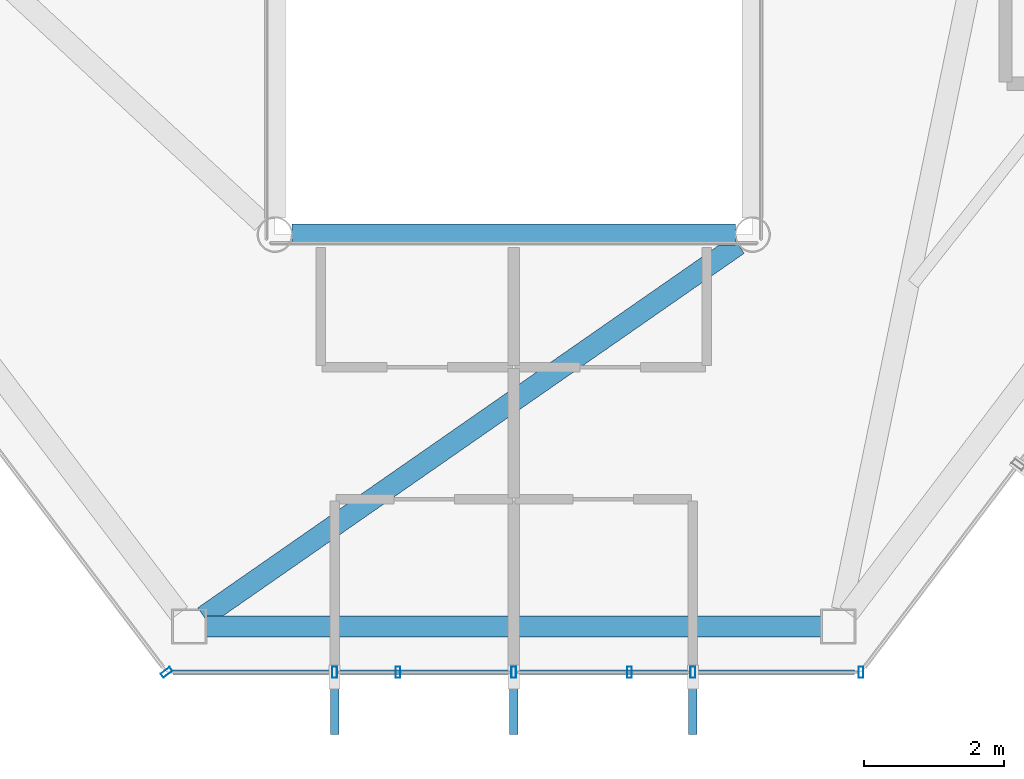
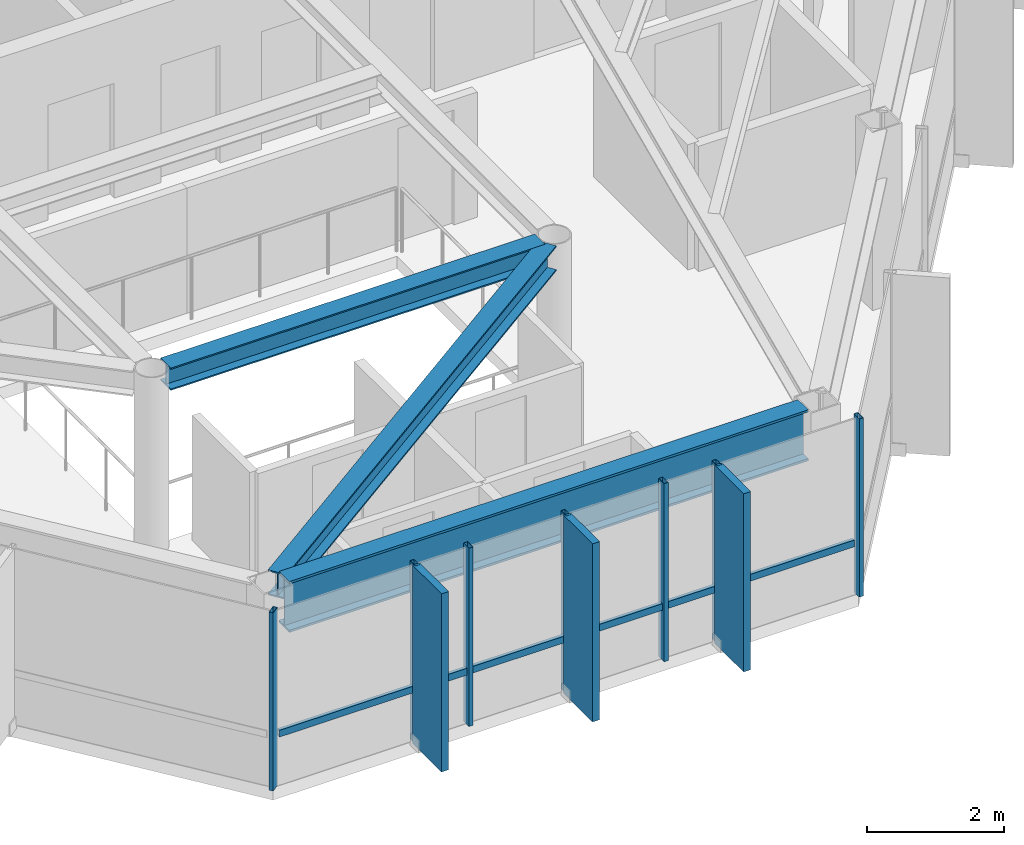
# One storey, part 5 of 25: 11 members, 3 beams, 2 elements without a shape of their own.
"""IFC4 building model written with IfcOpenShell, lengths in metres."""

from ifc_helpers import new_model, si_unit, direction, frame, origin, origin_2d, place, context, subcontext, project, spatial, rectangle, hollow_rectangle, i_section, extrude, material, layer, layer_set, material_profile, profile_set, type_object, element, aggregate, save


model = new_model("IFC4")

# Units and contexts
model_context = context("Model", 3, precision=1e-05, world=origin(), true_north=direction((0.0, 1.0)))
body_context = subcontext(model_context, "Body", "Model", "MODEL_VIEW")
ifc_project = project(units=[si_unit("LENGTHUNIT", "METRE"), si_unit("AREAUNIT", "SQUARE_METRE"), si_unit("VOLUMEUNIT", "CUBIC_METRE"), si_unit("PLANEANGLEUNIT", "RADIAN"), si_unit("MASSUNIT", "GRAM", prefix="KILO")], contexts=[model_context])

# Site, building, storey
site_placement = place(None, origin())
site = spatial("IfcSite", under=ifc_project, at=site_placement, CompositionType="ELEMENT")
building_placement = place(site_placement, origin())
building = spatial("IfcBuilding", under=site, at=building_placement, Name="Zarrinselat Tower", CompositionType="ELEMENT")
storey_placement = place(building_placement, frame((0.0, 0.0, 261.800048828125)))
storey = spatial("IfcBuildingStorey", under=building, at=storey_placement, Name="L66", CompositionType="ELEMENT", Elevation=261.800048828125)

# Beams
ifc_material_1 = material(Name="Steel S355J2", Category="steel")
ifc_material_profile_1 = material_profile(ifc_material_1, i_section(OverallWidth=0.300048828125, OverallDepth=0.39990234375, WebThickness=0.013427734375, FlangeThickness=0.02392578125, at=origin_2d()), Name="HEB 400")
ifc_profile_set_1 = profile_set([ifc_material_profile_1], Name="Steel S355J2")
beam_type_1 = type_object("IfcBeamType", Name="BM-HEB400", PredefinedType="BEAM", material=ifc_profile_set_1)
beam_1_placement = place(storey_placement, frame((35.239990234375, 25.199951171875, 2.97998046875), z_axis=(1.0, 0.0, 0.0), x_axis=(0.0, 1.0, 0.0)))
element("IfcBeam", 1, at=beam_1_placement, inside=storey, type_object=beam_type_1, Name="L66 Atrium Edge Beam S", PredefinedType="BEAM", context=body_context, shape_type="SweptSolid", body=[
    extrude(i_section(OverallWidth=0.300048828125, OverallDepth=0.39990234375, WebThickness=0.013427734375, FlangeThickness=0.02392578125, at=origin_2d()), origin(), (0.0, 0.0, 1.0), 6.320068359375),
])
ifc_material_2 = material(Name="Steel S355J2", Category="steel")
ifc_material_profile_2 = material_profile(ifc_material_2, i_section(OverallWidth=0.300048828125, OverallDepth=0.449951171875, WebThickness=0.013916015625, FlangeThickness=0.02587890625, at=origin_2d()), Name="HEB 450")
ifc_profile_set_2 = profile_set([ifc_material_profile_2], Name="Steel S355J2")
beam_type_2 = type_object("IfcBeamType", Name="BM-HEB450", PredefinedType="BEAM", material=ifc_profile_set_2)
beam_2_placement = place(storey_placement, frame((33.9873046875, 19.764892578125, 2.954833984375), z_axis=(0.82089929517, 0.571072978864, 0.0), x_axis=(-0.571072978864, 0.82089929517, 0.0)))
element("IfcBeam", 2, at=beam_2_placement, inside=storey, type_object=beam_type_2, Name="L66 Radial Primary Girder RG10", PredefinedType="BEAM", context=body_context, shape_type="SweptSolid", body=[
    extrude(i_section(OverallWidth=0.300048828125, OverallDepth=0.449951171875, WebThickness=0.013916015625, FlangeThickness=0.02587890625, at=origin_2d()), origin(), (0.0, 0.0, 1.0), 9.26708984375),
])
ifc_material_3 = material(Name="Steel S460M", Category="steel")
ifc_material_profile_3 = material_profile(ifc_material_3, i_section(OverallWidth=0.302001953125, OverallDepth=0.909912109375, WebThickness=0.02099609375, FlangeThickness=0.0400390625, at=origin_2d()), Name="HEM 900")
ifc_profile_set_3 = profile_set([ifc_material_profile_3], Name="Steel S460M")
beam_type_3 = type_object("IfcBeamType", Name="BM-HEM900", PredefinedType="BEAM", material=ifc_profile_set_3)
beam_3_placement = place(storey_placement, frame((34.018310546875, 19.62109375, 2.724853515625), z_axis=(1.0, 0.0, 0.0), x_axis=(0.0, 1.0, 0.0)))
element("IfcBeam", 3, at=beam_3_placement, inside=storey, type_object=beam_type_3, Name="L66 Perimeter Spandrel Girder SP10", PredefinedType="BEAM", context=body_context, shape_type="SweptSolid", body=[
    extrude(i_section(OverallWidth=0.302001953125, OverallDepth=0.909912109375, WebThickness=0.02099609375, FlangeThickness=0.0400390625, at=origin_2d()), origin(), (0.0, 0.0, 1.0), 8.763427734375),
])

# Curtain wall, member
ifc_material_4 = material(Name="Extruded Aluminium Alloy EN AW-6063 T6", Category="aluminium")
ifc_layer = layer(ifc_material_4, 0.169921875)
ifc_layer_set = layer_set([ifc_layer], Name="Extruded Aluminium Alloy EN AW-6063 T6")
curtain_wall_type = type_object("IfcCurtainWallType", Name="CWS-RES", PredefinedType="NOTDEFINED", material=ifc_layer_set)
curtain_wall_1_placement = place(storey_placement, origin())
curtain_wall_1 = element("IfcCurtainWall", 4, at=curtain_wall_1_placement, inside=storey, type_object=curtain_wall_type, Name="L66 Unitised Curtain Wall CW-L66-E03", PredefinedType="NOTDEFINED")
ifc_material_5 = material(Name="Extruded Aluminium Alloy EN AW-6063 T6", Category="aluminium")
ifc_material_profile_4 = material_profile(ifc_material_5, hollow_rectangle(XDim=0.070068359375, YDim=0.159912109375, WallThickness=0.00390625, at=origin_2d()), Name="RHS 160x70x4")
ifc_profile_set_4 = profile_set([ifc_material_profile_4], Name="Extruded Aluminium Alloy EN AW-6063 T6")
member_type_1 = type_object("IfcMemberType", Name="MEM-CW-MUL2", PredefinedType="MULLION", material=ifc_profile_set_4)
member_1_placement = place(storey_placement, frame((33.457275390625, 18.97119140625, 0.0), z_axis=(0.0, 0.0, 1.0), x_axis=(0.603858282603, -0.797091697694, 0.0)))
member_1 = element("IfcMember", 5, at=member_1_placement, type_object=member_type_1, Name="CW-L66-E03 Mullion 10", PredefinedType="MULLION", context=body_context, shape_type="SweptSolid", body=[
    extrude(hollow_rectangle(XDim=0.070068359375, YDim=0.159912109375, WallThickness=0.00390625, at=origin_2d()), origin(), (0.0, 0.0, 1.0), 3.179931640625),
])
aggregate(curtain_wall_1, [member_1])

# Curtain wall, members
curtain_wall_2_placement = place(storey_placement, origin())
curtain_wall_2 = element("IfcCurtainWall", 6, at=curtain_wall_2_placement, inside=storey, type_object=curtain_wall_type, Name="L66 Unitised Curtain Wall CW-L66-E04", PredefinedType="NOTDEFINED")
member_2_placement = place(storey_placement, frame((35.85009765625, 18.97119140625, 0.0), z_axis=(0.0, 0.0, 1.0), x_axis=(1.0, 0.0, 0.0)))
member_2 = element("IfcMember", 7, at=member_2_placement, type_object=member_type_1, Name="CW-L66-E04 Mullion 1", PredefinedType="MULLION", context=body_context, shape_type="SweptSolid", body=[
    extrude(hollow_rectangle(XDim=0.070068359375, YDim=0.159912109375, WallThickness=0.00390625, at=origin_2d()), origin(), (0.0, 0.0, 1.0), 3.179931640625),
])
member_3_placement = place(storey_placement, frame((36.75244140625, 18.97119140625, 0.0), z_axis=(0.0, 0.0, 1.0), x_axis=(1.0, 0.0, 0.0)))
member_3 = element("IfcMember", 8, at=member_3_placement, type_object=member_type_1, Name="CW-L66-E04 Mullion 2", PredefinedType="MULLION", context=body_context, shape_type="SweptSolid", body=[
    extrude(hollow_rectangle(XDim=0.070068359375, YDim=0.159912109375, WallThickness=0.00390625, at=origin_2d()), origin(), (0.0, 0.0, 1.0), 3.179931640625),
])
member_4_placement = place(storey_placement, frame((38.39990234375, 18.97119140625, 0.0), z_axis=(0.0, 0.0, 1.0), x_axis=(1.0, 0.0, 0.0)))
member_4 = element("IfcMember", 9, at=member_4_placement, type_object=member_type_1, Name="CW-L66-E04 Mullion 3", PredefinedType="MULLION", context=body_context, shape_type="SweptSolid", body=[
    extrude(hollow_rectangle(XDim=0.070068359375, YDim=0.159912109375, WallThickness=0.00390625, at=origin_2d()), origin(), (0.0, 0.0, 1.0), 3.179931640625),
])
member_5_placement = place(storey_placement, frame((40.047607421875, 18.97119140625, 0.0), z_axis=(0.0, 0.0, 1.0), x_axis=(1.0, 0.0, 0.0)))
member_5 = element("IfcMember", 10, at=member_5_placement, type_object=member_type_1, Name="CW-L66-E04 Mullion 4", PredefinedType="MULLION", context=body_context, shape_type="SweptSolid", body=[
    extrude(hollow_rectangle(XDim=0.070068359375, YDim=0.159912109375, WallThickness=0.00390625, at=origin_2d()), origin(), (0.0, 0.0, 1.0), 3.179931640625),
])
member_6_placement = place(storey_placement, frame((40.949951171875, 18.97119140625, 0.0), z_axis=(0.0, 0.0, 1.0), x_axis=(1.0, 0.0, 0.0)))
member_6 = element("IfcMember", 11, at=member_6_placement, type_object=member_type_1, Name="CW-L66-E04 Mullion 5", PredefinedType="MULLION", context=body_context, shape_type="SweptSolid", body=[
    extrude(hollow_rectangle(XDim=0.070068359375, YDim=0.159912109375, WallThickness=0.00390625, at=origin_2d()), origin(), (0.0, 0.0, 1.0), 3.179931640625),
])
member_7_placement = place(storey_placement, frame((43.3427734375, 18.97119140625, 0.0), z_axis=(0.0, 0.0, 1.0), x_axis=(1.0, 0.0, 0.0)))
member_7 = element("IfcMember", 12, at=member_7_placement, type_object=member_type_1, Name="CW-L66-E04 Mullion 6", PredefinedType="MULLION", context=body_context, shape_type="SweptSolid", body=[
    extrude(hollow_rectangle(XDim=0.070068359375, YDim=0.159912109375, WallThickness=0.00390625, at=origin_2d()), origin(), (0.0, 0.0, 1.0), 3.179931640625),
])
ifc_material_6 = material(Name="Extruded Aluminium Alloy EN AW-6063 T6", Category="aluminium")
ifc_material_profile_5 = material_profile(ifc_material_6, hollow_rectangle(XDim=0.06005859375, YDim=0.1201171875, WallThickness=0.00390625, at=origin_2d()), Name="RHS 120x60x4")
ifc_profile_set_5 = profile_set([ifc_material_profile_5], Name="Extruded Aluminium Alloy EN AW-6063 T6")
member_type_2 = type_object("IfcMemberType", Name="MEM-CW-TRN2", PredefinedType="USERDEFINED", material=ifc_profile_set_5)
member_8_placement = place(storey_placement, frame((33.54736328125, 18.97119140625, 0.949951171875), z_axis=(1.0, 0.0, 0.0), x_axis=(0.0, 1.0, 0.0)))
member_8 = element("IfcMember", 13, at=member_8_placement, type_object=member_type_2, Name="CW-L66-E04 Transom 1", ObjectType="TRANSOM", PredefinedType="USERDEFINED", context=body_context, shape_type="SweptSolid", body=[
    extrude(hollow_rectangle(XDim=0.06005859375, YDim=0.1201171875, WallThickness=0.00390625, at=origin_2d()), origin(), (0.0, 0.0, 1.0), 9.705322265625),
])
ifc_material_7 = material(Name="Honed Cream Travertine Stone", Category="masonry")
ifc_material_profile_6 = material_profile(ifc_material_7, rectangle(XDim=0.1201171875, YDim=0.85009765625, at=origin_2d()), Name="FIN 850x120")
ifc_profile_set_6 = profile_set([ifc_material_profile_6], Name="Honed Cream Travertine Stone")
member_type_3 = type_object("IfcMemberType", Name="MEM-STONE-FIN", PredefinedType="USERDEFINED", material=ifc_profile_set_6)
member_9_placement = place(storey_placement, frame((35.85009765625, 18.510986328125, 0.0), z_axis=(0.0, 0.0, 1.0), x_axis=(-1.0, 0.0, 0.0)))
member_9 = element("IfcMember", 14, at=member_9_placement, type_object=member_type_3, Name="L66 Stone Shading Fin CW-L66-E04-01", ObjectType="FIN", PredefinedType="USERDEFINED", context=body_context, shape_type="SweptSolid", body=[
    extrude(rectangle(XDim=0.1201171875, YDim=0.85009765625, at=origin_2d()), origin(), (0.0, 0.0, 1.0), 3.179931640625),
])
member_10_placement = place(storey_placement, frame((38.39990234375, 18.510986328125, 0.0), z_axis=(0.0, 0.0, 1.0), x_axis=(-1.0, 0.0, 0.0)))
member_10 = element("IfcMember", 15, at=member_10_placement, type_object=member_type_3, Name="L66 Stone Shading Fin CW-L66-E04-03", ObjectType="FIN", PredefinedType="USERDEFINED", context=body_context, shape_type="SweptSolid", body=[
    extrude(rectangle(XDim=0.1201171875, YDim=0.85009765625, at=origin_2d()), origin(), (0.0, 0.0, 1.0), 3.179931640625),
])
member_11_placement = place(storey_placement, frame((40.949951171875, 18.510986328125, 0.0), z_axis=(0.0, 0.0, 1.0), x_axis=(-1.0, 0.0, 0.0)))
member_11 = element("IfcMember", 16, at=member_11_placement, type_object=member_type_3, Name="L66 Stone Shading Fin CW-L66-E04-05", ObjectType="FIN", PredefinedType="USERDEFINED", context=body_context, shape_type="SweptSolid", body=[
    extrude(rectangle(XDim=0.1201171875, YDim=0.85009765625, at=origin_2d()), origin(), (0.0, 0.0, 1.0), 3.179931640625),
])
aggregate(curtain_wall_2, [member_2, member_9, member_3, member_4, member_10, member_5, member_6, member_11, member_7, member_8])

save(model, "model.ifc")
